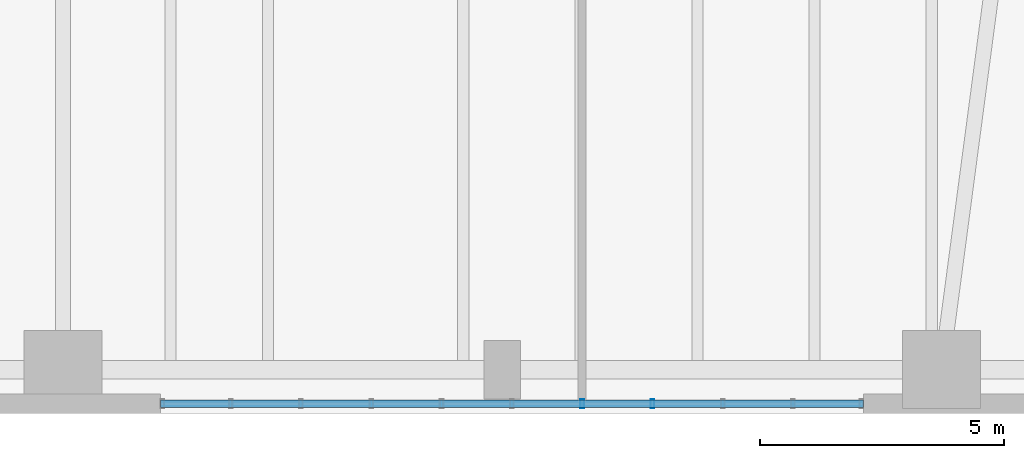
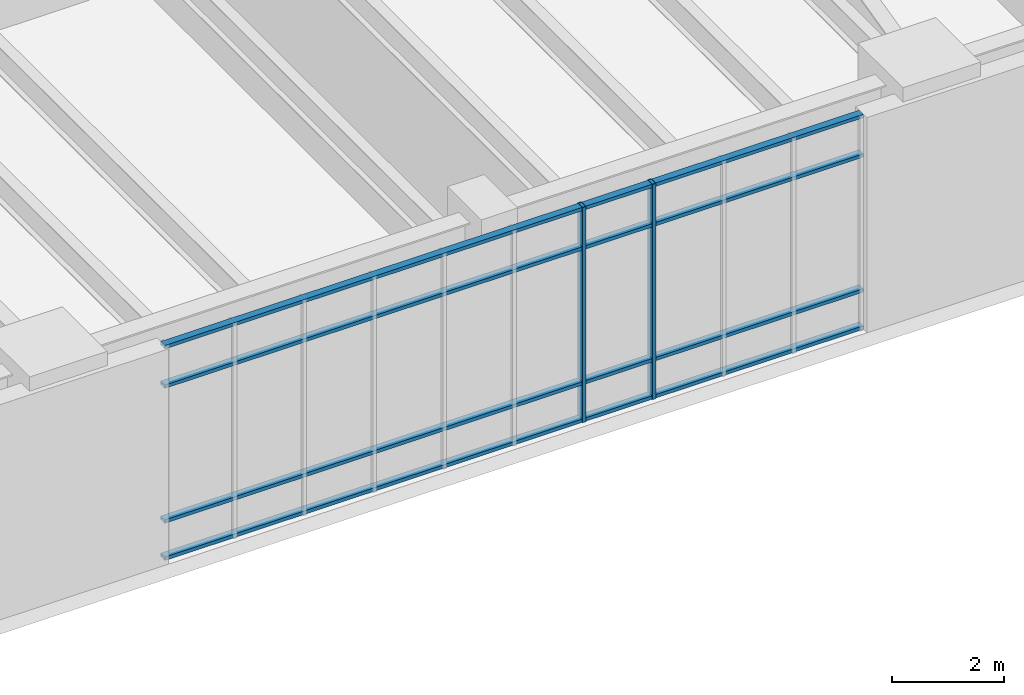
# One storey, part 6 of 26: 6 members, 1 element without a shape of its own.
"""IFC4 building model written with IfcOpenShell, lengths in metres."""

from ifc_helpers import new_model, si_unit, direction, frame, origin, origin_2d, place, context, subcontext, project, spatial, hollow_rectangle, extrude, material, layer, layer_set, material_profile, profile_set, type_object, element, aggregate, save


model = new_model("IFC4")

# Units and contexts
model_context = context("Model", 3, precision=1e-05, world=origin(), true_north=direction((0.0, 1.0)))
body_context = subcontext(model_context, "Body", "Model", "MODEL_VIEW")
ifc_project = project(units=[si_unit("LENGTHUNIT", "METRE"), si_unit("AREAUNIT", "SQUARE_METRE"), si_unit("VOLUMEUNIT", "CUBIC_METRE"), si_unit("PLANEANGLEUNIT", "RADIAN"), si_unit("MASSUNIT", "GRAM", prefix="KILO"), si_unit("THERMODYNAMICTEMPERATUREUNIT", "KELVIN"), si_unit("POWERUNIT", "WATT")], contexts=[model_context])

# Site, building, storey
site_placement = place(None, origin())
site = spatial("IfcSite", under=ifc_project, at=site_placement, CompositionType="ELEMENT")
building_placement = place(site_placement, origin())
building = spatial("IfcBuilding", under=site, at=building_placement, Name="Skarre Station Tower", CompositionType="ELEMENT")
storey_placement = place(building_placement, frame((0.0, 0.0, 6.0)))
storey = spatial("IfcBuildingStorey", under=building, at=storey_placement, Name="L02", CompositionType="ELEMENT", Elevation=6.0)

# Curtain wall, members
ifc_material_1 = material(Name="Thermally Broken Bronze-Anodized Aluminium & Triple Low-E Glass", Category="aluminium")
ifc_layer = layer(ifc_material_1, 0.199951171875, Name="Thermally Broken Bronze-Anodized Aluminium & Triple Low-E Glass")
ifc_layer_set = layer_set([ifc_layer], Name="Thermally Broken Bronze-Anodized Aluminium & Triple Low-E Glass")
curtain_wall_type = type_object("IfcCurtainWallType", Name="Podium Transit Arcade Stick Curtain Wall", PredefinedType="NOTDEFINED", material=ifc_layer_set)
curtain_wall_placement = place(storey_placement, origin())
curtain_wall = element("IfcCurtainWall", 1, at=curtain_wall_placement, inside=storey, type_object=curtain_wall_type, Name="L02 South Concourse Portal East Curtain Wall", PredefinedType="NOTDEFINED")
ifc_material_2 = material(Name="Anodized Aluminium 6063-T6", Category="aluminium")
ifc_material_profile_1 = material_profile(ifc_material_2, hollow_rectangle(XDim=0.074951171875, YDim=0.14990234375, WallThickness=0.00390625, at=origin_2d()), Name="Anodized Aluminium 6063-T6")
ifc_profile_set_1 = profile_set([ifc_material_profile_1], Name="Anodized Aluminium 6063-T6")
member_type_1 = type_object("IfcMemberType", Name="Curtain-Wall Secondary Transom 150x75", PredefinedType="USERDEFINED", material=ifc_profile_set_1)
member_1_placement = place(storey_placement, frame((52.39990234375, 0.199951171875, 0.0400390625), z_axis=(-1.0, 0.0, 0.0), x_axis=(0.0, 0.0, 1.0)))
member_1 = element("IfcMember", 2, at=member_1_placement, type_object=member_type_1, Name="L02 South Concourse Portal East Curtain Wall Transom 1", ObjectType="TRANSOM", PredefinedType="USERDEFINED", context=body_context, shape_type="SweptSolid", body=[
    extrude(hollow_rectangle(XDim=0.074951171875, YDim=0.14990234375, WallThickness=0.00390625, at=origin_2d()), origin(), (0.0, 0.0, 1.0), 14.39990234375),
])
member_2_placement = place(storey_placement, frame((52.39990234375, 0.199951171875, 0.85009765625), z_axis=(-1.0, 0.0, 0.0), x_axis=(0.0, 0.0, 1.0)))
member_2 = element("IfcMember", 3, at=member_2_placement, type_object=member_type_1, Name="L02 South Concourse Portal East Curtain Wall Transom 2", ObjectType="TRANSOM", PredefinedType="USERDEFINED", context=body_context, shape_type="SweptSolid", body=[
    extrude(hollow_rectangle(XDim=0.074951171875, YDim=0.14990234375, WallThickness=0.00390625, at=origin_2d()), origin(), (0.0, 0.0, 1.0), 14.39990234375),
])
member_3_placement = place(storey_placement, frame((52.39990234375, 0.199951171875, 3.7900390625), z_axis=(-1.0, 0.0, 0.0), x_axis=(0.0, 0.0, 1.0)))
member_3 = element("IfcMember", 4, at=member_3_placement, type_object=member_type_1, Name="L02 South Concourse Portal East Curtain Wall Transom 3", ObjectType="TRANSOM", PredefinedType="USERDEFINED", context=body_context, shape_type="SweptSolid", body=[
    extrude(hollow_rectangle(XDim=0.074951171875, YDim=0.14990234375, WallThickness=0.00390625, at=origin_2d()), origin(), (0.0, 0.0, 1.0), 14.39990234375),
])
member_4_placement = place(storey_placement, frame((52.39990234375, 0.199951171875, 4.64990234375), z_axis=(-1.0, 0.0, 0.0), x_axis=(0.0, 0.0, 1.0)))
member_4 = element("IfcMember", 5, at=member_4_placement, type_object=member_type_1, Name="L02 South Concourse Portal East Curtain Wall Transom 4", ObjectType="TRANSOM", PredefinedType="USERDEFINED", context=body_context, shape_type="SweptSolid", body=[
    extrude(hollow_rectangle(XDim=0.074951171875, YDim=0.14990234375, WallThickness=0.00390625, at=origin_2d()), origin(), (0.0, 0.0, 1.0), 14.39990234375),
])
ifc_material_profile_2 = material_profile(ifc_material_2, hollow_rectangle(XDim=0.074951171875, YDim=0.179931640625, WallThickness=0.00390625, at=origin_2d()), Name="Anodized Aluminium 6063-T6")
ifc_profile_set_2 = profile_set([ifc_material_profile_2], Name="Anodized Aluminium 6063-T6")
member_type_2 = type_object("IfcMemberType", Name="Curtain-Wall Unitised Tower Mullion 180x75", PredefinedType="MULLION", material=ifc_profile_set_2)
member_5_placement = place(storey_placement, frame((48.080078125, 0.199951171875, 0.0), z_axis=(0.0, 0.0, 1.0), x_axis=(-1.0, 0.0, 0.0)))
member_5 = element("IfcMember", 6, at=member_5_placement, type_object=member_type_2, Name="L02 South Concourse Portal East Curtain Wall Mullion 4", PredefinedType="MULLION", context=body_context, shape_type="SweptSolid", body=[
    extrude(hollow_rectangle(XDim=0.074951171875, YDim=0.179931640625, WallThickness=0.00390625, at=origin_2d()), origin(), (0.0, 0.0, 1.0), 4.68994140625),
])
member_6_placement = place(storey_placement, frame((46.639892578125, 0.199951171875, 0.0), z_axis=(0.0, 0.0, 1.0), x_axis=(-1.0, 0.0, 0.0)))
member_6 = element("IfcMember", 7, at=member_6_placement, type_object=member_type_2, Name="L02 South Concourse Portal East Curtain Wall Mullion 5", PredefinedType="MULLION", context=body_context, shape_type="SweptSolid", body=[
    extrude(hollow_rectangle(XDim=0.074951171875, YDim=0.179931640625, WallThickness=0.00390625, at=origin_2d()), origin(), (0.0, 0.0, 1.0), 4.68994140625),
])
aggregate(curtain_wall, [member_5, member_6, member_1, member_2, member_3, member_4])

save(model, "model.ifc")
